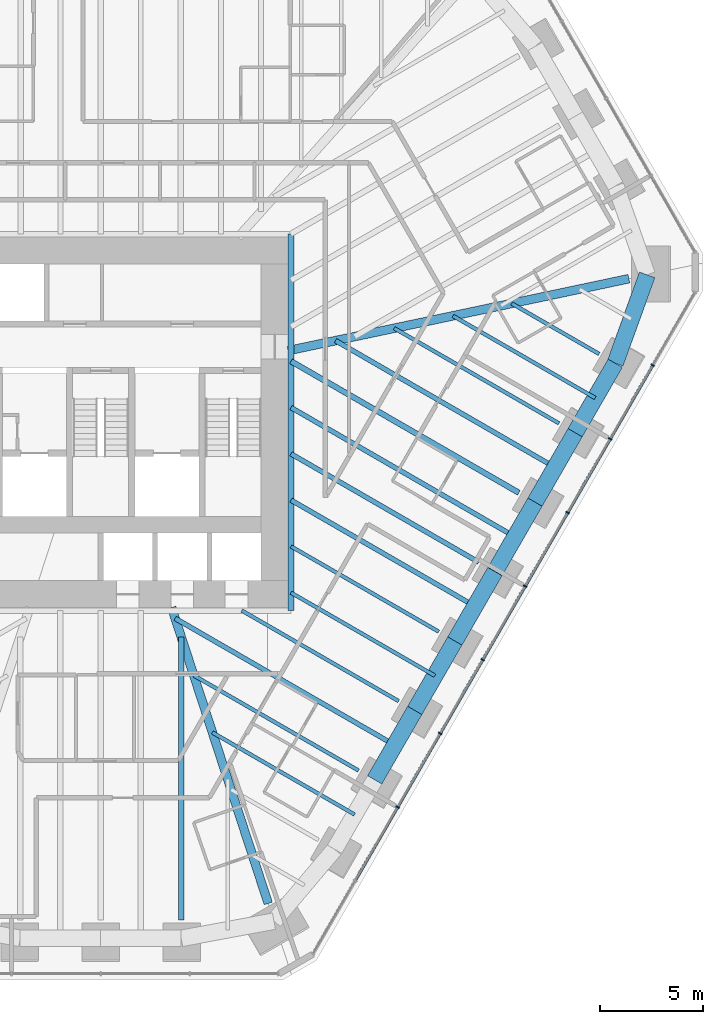
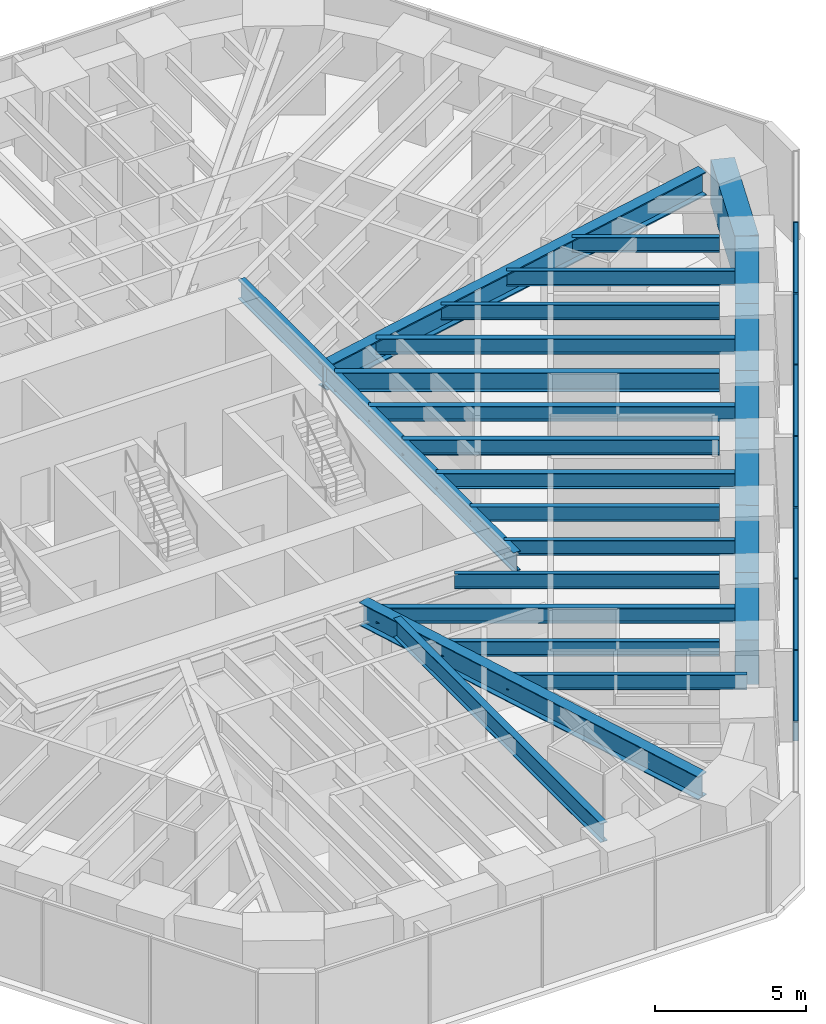
# One storey, part 5 of 18: 25 beams, 14 members, 1 element without a shape of its own.
"""IFC4 building model written with IfcOpenShell, lengths in metres."""

import ifcopenshell
import ifcopenshell.guid

model = None  # the IFC model being written
_history = None  # IfcOwnerHistory: only IFC2X3 demands one
_inside = {}  # id of a spatial element -> (the spatial element, [elements in it])
_under = {}  # id of a project, library or spatial element -> (it, [spatial elements below it])
_declared = {}  # id of a project -> (the project, [libraries it declares])
_typed = {}  # id of a type object -> (the type object, [elements of that type])
_made_of = {}  # id of a material, layer set ... -> (it, [elements and type objects made of it])


def new_model(schema):
    """Start an empty IFC model of exactly this schema.

    Asked for "IFC4X3", IfcOpenShell would pick the latest addendum, in which some entities
    have other attributes; the version numbers below select the first issue.
    IFC2X3 requires an IfcOwnerHistory on every rooted entity: one is made here for all.
    """
    global model, _history
    if schema == "IFC4X3":
        model = ifcopenshell.file(schema_version=(4, 3, 0, 0))
    else:
        model = ifcopenshell.file(schema=schema)
    _inside.clear()
    _under.clear()
    _declared.clear()
    _typed.clear()
    _made_of.clear()
    _history = None
    if model.schema == "IFC2X3":
        org = make("IfcOrganization", Name="unknown")
        user = make(
            "IfcPersonAndOrganization",
            ThePerson=make("IfcPerson", FamilyName="unknown"),
            TheOrganization=org,
        )
        app = make(
            "IfcApplication",
            ApplicationDeveloper=org,
            Version="unknown",
            ApplicationFullName="unknown",
            ApplicationIdentifier="unknown",
        )
        _history = make(
            "IfcOwnerHistory",
            OwningUser=user,
            OwningApplication=app,
            ChangeAction="ADDED",
            CreationDate=0,
        )
    return model


def make(cls, **values):
    """One entity of the class cls with the attributes given. An attribute that is None is left unset."""
    return model.create_entity(
        cls, **{name: value for name, value in values.items() if value is not None}
    )


def rooted(cls, **values):
    """An entity with a GlobalId (a new one), such as an element, a storey or a relation."""
    return make(cls, GlobalId=ifcopenshell.guid.new(), OwnerHistory=_history, **values)


def si_unit(unit_type, name, prefix=None):
    """IfcSIUnit, for example si_unit("LENGTHUNIT", "METRE", prefix="MILLI")."""
    return make("IfcSIUnit", UnitType=unit_type, Prefix=prefix, Name=name)


def assignment(units):
    """IfcUnitAssignment: the units of a project."""
    return None if units is None else make("IfcUnitAssignment", Units=units)


def point(xyz):
    """IfcCartesianPoint."""
    return None if xyz is None else make("IfcCartesianPoint", Coordinates=xyz)


def direction(xyz):
    """IfcDirection."""
    return None if xyz is None else make("IfcDirection", DirectionRatios=xyz)


def frame(location, z_axis=None, x_axis=None):
    """IfcAxis2Placement3D, a coordinate frame: its origin and axes. An axis left out is left unset."""
    return make(
        "IfcAxis2Placement3D",
        Location=point(location),
        Axis=direction(z_axis),
        RefDirection=direction(x_axis),
    )


def frame_2d(location, x_axis=None):
    """IfcAxis2Placement2D, a coordinate frame in the plane: its origin and x axis."""
    return make(
        "IfcAxis2Placement2D", Location=point(location), RefDirection=direction(x_axis)
    )


def origin():
    """The frame at (0, 0, 0) with its axes left unset."""
    return frame((0.0, 0.0, 0.0))


def origin_2d():
    """The frame at (0, 0) in the plane with its x axis left unset."""
    return frame_2d((0.0, 0.0))


def place(relative_to, where):
    """IfcLocalPlacement: puts the frame where relative to a parent placement (None: the world)."""
    return make(
        "IfcLocalPlacement", PlacementRelTo=relative_to, RelativePlacement=where
    )


def context(
    kind, dimensions, precision=None, world=None, true_north=None, identifier=None
):
    """IfcGeometricRepresentationContext, for example the 3D "Model" context."""
    return make(
        "IfcGeometricRepresentationContext",
        ContextIdentifier=identifier,
        ContextType=kind,
        CoordinateSpaceDimension=dimensions,
        Precision=precision,
        WorldCoordinateSystem=world,
        TrueNorth=true_north,
    )


def subcontext(parent, identifier, kind, view, scale=None):
    """IfcGeometricRepresentationSubContext, for example "Body" below "Model"."""
    return make(
        "IfcGeometricRepresentationSubContext",
        ContextIdentifier=identifier,
        ContextType=kind,
        ParentContext=parent,
        TargetScale=scale,
        TargetView=view,
    )


def project(units=None, contexts=None):
    """IfcProject with its units and contexts."""
    return rooted(
        "IfcProject",
        Name="project",
        RepresentationContexts=contexts,
        UnitsInContext=assignment(units),
    )


def spatial(cls, under=None, at=None, **own):
    """A site, building, storey or space (cls), placed at a placement, below another one or the project."""
    s = rooted(cls, ObjectPlacement=at, **own)
    if under is not None:
        _under.setdefault(under.id(), (under, []))[1].append(s)
    return s


def profile(cls, at=None, kind="AREA", **sizes):
    """A parametric profile (cls). Its sizes go by their IFC names, for example OverallWidth=200.0."""
    return make(cls, ProfileType=kind, Position=at, **sizes)


def rectangle(**sizes):
    """IfcRectangleProfileDef."""
    return profile("IfcRectangleProfileDef", **sizes)


def i_section(**sizes):
    """IfcIShapeProfileDef."""
    return profile("IfcIShapeProfileDef", **sizes)


def extrude(swept, where, along, depth):
    """IfcExtrudedAreaSolid: the profile swept, set in the frame where, extruded along a direction by depth."""
    return make(
        "IfcExtrudedAreaSolid",
        SweptArea=swept,
        Position=where,
        ExtrudedDirection=direction(along),
        Depth=depth,
    )


def shape(context_of_items, identifier, shape_type, items):
    """IfcShapeRepresentation: the items that make up one representation, for example the "Body"."""
    return make(
        "IfcShapeRepresentation",
        ContextOfItems=context_of_items,
        RepresentationIdentifier=identifier,
        RepresentationType=shape_type,
        Items=items,
    )


def material(Name=None, Category=None):
    """IfcMaterial."""
    return make("IfcMaterial", Name=Name, Category=Category)


def material_profile(
    of_material, cross_section, Name=None, Category=None, Priority=None
):
    """IfcMaterialProfile: a cross section and its material."""
    return make(
        "IfcMaterialProfile",
        Name=Name,
        Material=of_material,
        Profile=cross_section,
        Priority=Priority,
        Category=Category,
    )


def profile_set(profiles, Name=None, composite=None):
    """IfcMaterialProfileSet."""
    return make(
        "IfcMaterialProfileSet",
        Name=Name,
        MaterialProfiles=profiles,
        CompositeProfile=composite,
    )


def made_of(thing, what):
    """Note that an element or type object is made of a material, layer set ...; save() writes the relation."""
    if what is not None:
        _made_of.setdefault(what.id(), (what, []))[1].append(thing)
    return thing


def type_object(cls, material=None, **own):
    """A type object (cls), such as IfcWallType, which elements share."""
    return made_of(rooted(cls, **own), material)


def element(
    cls,
    number,
    at=None,
    inside=None,
    cuts=None,
    type_object=None,
    material=None,
    context=None,
    identifier="Body",
    shape_type=None,
    held_by="IfcProductDefinitionShape",
    body=None,
    shapes=None,
    **own,
):
    """One element of the class cls, such as IfcWall. Its Tag is "e" and its number.

    at: its placement. inside: the storey or other place that contains it. cuts: it is an
    opening in that element (IfcRelVoidsElement). A single representation is given by context,
    identifier, shape_type and body (its items); several are given by shapes. held_by: the class
    of the entity that holds the representations. save() writes the other relations.
    """
    e = rooted(cls, Tag="e%d" % number, ObjectPlacement=at, **own)
    if body is not None:
        shapes = [shape(context, identifier, shape_type, body)]
    if shapes is not None:
        e.Representation = make(held_by, Representations=shapes)
    if inside is not None:
        _inside.setdefault(inside.id(), (inside, []))[1].append(e)
    if cuts is not None:
        rooted(
            "IfcRelVoidsElement", RelatingBuildingElement=cuts, RelatedOpeningElement=e
        )
    if type_object is not None:
        _typed.setdefault(type_object.id(), (type_object, []))[1].append(e)
    return made_of(e, material)


def aggregate(whole, parts):
    """IfcRelAggregates: a whole, such as a stair, and the parts it consists of."""
    return rooted("IfcRelAggregates", RelatingObject=whole, RelatedObjects=parts)


def save(model, path):
    """Write the relations noted so far, then the file.

    IfcRelAggregates (storeys below a building ...), IfcRelContainedInSpatialStructure (elements
    in a storey), IfcRelDefinesByType, IfcRelAssociatesMaterial and IfcRelDeclares: one each for
    every whole, place, type object, material and project.
    """
    for whole, parts in _under.values():
        aggregate(whole, parts)
    for where, things in _inside.values():
        rooted(
            "IfcRelContainedInSpatialStructure",
            RelatedElements=things,
            RelatingStructure=where,
        )
    for kind, things in _typed.values():
        rooted("IfcRelDefinesByType", RelatedObjects=things, RelatingType=kind)
    for what, things in _made_of.values():
        rooted("IfcRelAssociatesMaterial", RelatedObjects=things, RelatingMaterial=what)
    for by, libraries in _declared.values():
        rooted("IfcRelDeclares", RelatingContext=by, RelatedDefinitions=libraries)
    model.write(path)


model = new_model("IFC4")

# Units and contexts
model_context = context("Model", 3, precision=1e-05, world=origin(), true_north=direction((0.0, 1.0)))
body_context = subcontext(model_context, "Body", "Model", "MODEL_VIEW")
ifc_project = project(units=[si_unit("LENGTHUNIT", "METRE"), si_unit("AREAUNIT", "SQUARE_METRE"), si_unit("VOLUMEUNIT", "CUBIC_METRE"), si_unit("PLANEANGLEUNIT", "RADIAN"), si_unit("MASSUNIT", "GRAM", prefix="KILO")], contexts=[model_context])

# Site, building, storey
site_placement = place(None, origin())
site = spatial("IfcSite", under=ifc_project, at=site_placement, CompositionType="ELEMENT")
building_placement = place(site_placement, origin())
building = spatial("IfcBuilding", under=site, at=building_placement, Name="Sandreach Pilgrim Tower", CompositionType="ELEMENT")
storey_placement = place(building_placement, frame((0.0, 0.0, 153.800048828125)))
storey = spatial("IfcBuildingStorey", under=building, at=storey_placement, Name="L38", CompositionType="ELEMENT", Elevation=153.800048828125)

# Curtain wall, members
ifc_material_1 = material(Name="Aluminium framed curtain wall", Category="aluminium")
curtain_wall_type = type_object("IfcCurtainWallType", Name="Hotel tower curtain wall", PredefinedType="NOTDEFINED", material=ifc_material_1)
curtain_wall_placement = place(storey_placement, origin())
curtain_wall = element("IfcCurtainWall", 1, at=curtain_wall_placement, inside=storey, type_object=curtain_wall_type, Name="CW-2 L38 SE", PredefinedType="NOTDEFINED")
ifc_material_2 = material(Name="Aluminium extrusion", Category="aluminium")
ifc_material_profile_1 = material_profile(ifc_material_2, rectangle(XDim=0.06494140625, YDim=0.179931640625, at=origin_2d()), Name="CW-2M 65X180")
ifc_profile_set_1 = profile_set([ifc_material_profile_1], Name="Aluminium extrusion")
member_type_1 = type_object("IfcMemberType", Name="CW-2 mullion", PredefinedType="MULLION", material=ifc_profile_set_1)
member_1_placement = place(storey_placement, frame((26.66748046875, 1.20166015625, 0.0), z_axis=(0.0, 0.0, 1.0), x_axis=(-0.5, -0.866025403784, 0.0)))
member_1 = element("IfcMember", 2, at=member_1_placement, type_object=member_type_1, Name="CW-2 mullion 2", PredefinedType="MULLION", context=body_context, shape_type="SweptSolid", body=[
    extrude(rectangle(XDim=0.06494140625, YDim=0.179931640625, at=origin_2d()), origin(), (0.0, 0.0, 1.0), 3.639892578125),
])
member_2_placement = place(storey_placement, frame((24.614013671875, -2.35498046875, 0.0), z_axis=(0.0, 0.0, 1.0), x_axis=(-0.5, -0.866025403784, 0.0)))
member_2 = element("IfcMember", 3, at=member_2_placement, type_object=member_type_1, Name="CW-2 mullion 3", PredefinedType="MULLION", context=body_context, shape_type="SweptSolid", body=[
    extrude(rectangle(XDim=0.06494140625, YDim=0.179931640625, at=origin_2d()), origin(), (0.0, 0.0, 1.0), 3.639892578125),
])
member_3_placement = place(storey_placement, frame((22.560302734375, -5.911865234375, 0.0), z_axis=(0.0, 0.0, 1.0), x_axis=(-0.5, -0.866025403784, 0.0)))
member_3 = element("IfcMember", 4, at=member_3_placement, type_object=member_type_1, Name="CW-2 mullion 4", PredefinedType="MULLION", context=body_context, shape_type="SweptSolid", body=[
    extrude(rectangle(XDim=0.06494140625, YDim=0.179931640625, at=origin_2d()), origin(), (0.0, 0.0, 1.0), 3.639892578125),
])
member_4_placement = place(storey_placement, frame((20.5068359375, -9.468505859375, 0.0), z_axis=(0.0, 0.0, 1.0), x_axis=(-0.5, -0.866025403784, 0.0)))
member_4 = element("IfcMember", 5, at=member_4_placement, type_object=member_type_1, Name="CW-2 mullion 5", PredefinedType="MULLION", context=body_context, shape_type="SweptSolid", body=[
    extrude(rectangle(XDim=0.06494140625, YDim=0.179931640625, at=origin_2d()), origin(), (0.0, 0.0, 1.0), 3.639892578125),
])
member_5_placement = place(storey_placement, frame((18.453369140625, -13.025146484375, 0.0), z_axis=(0.0, 0.0, 1.0), x_axis=(-0.5, -0.866025403784, 0.0)))
member_5 = element("IfcMember", 6, at=member_5_placement, type_object=member_type_1, Name="CW-2 mullion 6", PredefinedType="MULLION", context=body_context, shape_type="SweptSolid", body=[
    extrude(rectangle(XDim=0.06494140625, YDim=0.179931640625, at=origin_2d()), origin(), (0.0, 0.0, 1.0), 3.639892578125),
])
member_6_placement = place(storey_placement, frame((16.39990234375, -16.58203125, 0.0), z_axis=(0.0, 0.0, 1.0), x_axis=(-0.5, -0.866025403784, 0.0)))
member_6 = element("IfcMember", 7, at=member_6_placement, type_object=member_type_1, Name="CW-2 mullion 7", PredefinedType="MULLION", context=body_context, shape_type="SweptSolid", body=[
    extrude(rectangle(XDim=0.06494140625, YDim=0.179931640625, at=origin_2d()), origin(), (0.0, 0.0, 1.0), 3.639892578125),
])
member_7_placement = place(storey_placement, frame((14.346435546875, -20.138671875, 0.0), z_axis=(0.0, 0.0, 1.0), x_axis=(-0.5, -0.866025403784, 0.0)))
member_7 = element("IfcMember", 8, at=member_7_placement, type_object=member_type_1, Name="CW-2 mullion 8", PredefinedType="MULLION", context=body_context, shape_type="SweptSolid", body=[
    extrude(rectangle(XDim=0.06494140625, YDim=0.179931640625, at=origin_2d()), origin(), (0.0, 0.0, 1.0), 3.639892578125),
])
ifc_material_3 = material(Name="Aluminium extrusion", Category="aluminium")
ifc_material_profile_2 = material_profile(ifc_material_3, rectangle(XDim=0.139892578125, YDim=0.070068359375, at=origin_2d()), Name="CW-2T 140X70")
ifc_profile_set_2 = profile_set([ifc_material_profile_2], Name="Aluminium extrusion")
member_type_2 = type_object("IfcMemberType", Name="CW-2 transom", PredefinedType="USERDEFINED", material=ifc_profile_set_2)
member_8_placement = place(storey_placement, frame((26.651123046875, 1.173583984375, 3.60498046875), z_axis=(-0.499997818338, -0.866026663364, 0.0), x_axis=(0.866026663364, -0.499997818338, 0.0)))
member_8 = element("IfcMember", 9, at=member_8_placement, type_object=member_type_2, Name="CW-2 head transom 2", ObjectType="TRANSOM", PredefinedType="USERDEFINED", context=body_context, shape_type="SweptSolid", body=[
    extrude(rectangle(XDim=0.139892578125, YDim=0.070068359375, at=origin_2d()), origin(), (0.0, 0.0, 1.0), 4.0419921875),
])
member_9_placement = place(storey_placement, frame((24.59765625, -2.38330078125, 3.60498046875), z_axis=(-0.500023973715, -0.866011562111, 0.0), x_axis=(0.866011562111, -0.500023973715, 0.0)))
member_9 = element("IfcMember", 10, at=member_9_placement, type_object=member_type_2, Name="CW-2 head transom 3", ObjectType="TRANSOM", PredefinedType="USERDEFINED", context=body_context, shape_type="SweptSolid", body=[
    extrude(rectangle(XDim=0.139892578125, YDim=0.070068359375, at=origin_2d()), origin(), (0.0, 0.0, 1.0), 4.041748046875),
])
member_10_placement = place(storey_placement, frame((22.544189453125, -5.93994140625, 3.60498046875), z_axis=(-0.499997818338, -0.866026663364, 0.0), x_axis=(0.866026663364, -0.499997818338, 0.0)))
member_10 = element("IfcMember", 11, at=member_10_placement, type_object=member_type_2, Name="CW-2 head transom 4", ObjectType="TRANSOM", PredefinedType="USERDEFINED", context=body_context, shape_type="SweptSolid", body=[
    extrude(rectangle(XDim=0.139892578125, YDim=0.070068359375, at=origin_2d()), origin(), (0.0, 0.0, 1.0), 4.0419921875),
])
member_11_placement = place(storey_placement, frame((20.49072265625, -9.49658203125, 3.60498046875), z_axis=(-0.499997818338, -0.866026663364, 0.0), x_axis=(0.866026663364, -0.499997818338, 0.0)))
member_11 = element("IfcMember", 12, at=member_11_placement, type_object=member_type_2, Name="CW-2 head transom 5", ObjectType="TRANSOM", PredefinedType="USERDEFINED", context=body_context, shape_type="SweptSolid", body=[
    extrude(rectangle(XDim=0.139892578125, YDim=0.070068359375, at=origin_2d()), origin(), (0.0, 0.0, 1.0), 4.0419921875),
])
member_12_placement = place(storey_placement, frame((18.437255859375, -13.053466796875, 3.60498046875), z_axis=(-0.499997818338, -0.866026663364, 0.0), x_axis=(0.866026663364, -0.499997818338, 0.0)))
member_12 = element("IfcMember", 13, at=member_12_placement, type_object=member_type_2, Name="CW-2 head transom 6", ObjectType="TRANSOM", PredefinedType="USERDEFINED", context=body_context, shape_type="SweptSolid", body=[
    extrude(rectangle(XDim=0.139892578125, YDim=0.070068359375, at=origin_2d()), origin(), (0.0, 0.0, 1.0), 4.0419921875),
])
member_13_placement = place(storey_placement, frame((16.3837890625, -16.610107421875, 3.60498046875), z_axis=(-0.499997818338, -0.866026663364, 0.0), x_axis=(0.866026663364, -0.499997818338, 0.0)))
member_13 = element("IfcMember", 14, at=member_13_placement, type_object=member_type_2, Name="CW-2 head transom 7", ObjectType="TRANSOM", PredefinedType="USERDEFINED", context=body_context, shape_type="SweptSolid", body=[
    extrude(rectangle(XDim=0.139892578125, YDim=0.070068359375, at=origin_2d()), origin(), (0.0, 0.0, 1.0), 4.0419921875),
])
member_14_placement = place(storey_placement, frame((14.330322265625, -20.1669921875, 3.60498046875), z_axis=(-0.500023973715, -0.866011562111, 0.0), x_axis=(0.866011562111, -0.500023973715, 0.0)))
member_14 = element("IfcMember", 15, at=member_14_placement, type_object=member_type_2, Name="CW-2 head transom 8", ObjectType="TRANSOM", PredefinedType="USERDEFINED", context=body_context, shape_type="SweptSolid", body=[
    extrude(rectangle(XDim=0.139892578125, YDim=0.070068359375, at=origin_2d()), origin(), (0.0, 0.0, 1.0), 4.041748046875),
])
aggregate(curtain_wall, [member_1, member_2, member_3, member_4, member_5, member_6, member_7, member_8, member_9, member_10, member_11, member_12, member_13, member_14])

# Beams
ifc_material_4 = material(Name="Steel ASTM A992 Grade 50", Category="steel")
ifc_material_profile_3 = material_profile(ifc_material_4, i_section(OverallWidth=0.2666015625, OverallDepth=0.77978515625, WebThickness=0.0166015625, FlangeThickness=0.030029296875, at=origin_2d()), Name="W30X148")
ifc_profile_set_3 = profile_set([ifc_material_profile_3], Name="Steel ASTM A992 Grade 50")
beam_type_1 = type_object("IfcBeamType", Name="Core edge beam W30X148", PredefinedType="BEAM", material=ifc_profile_set_3)
beam_1_placement = place(storey_placement, frame((9.193359375, 7.54345703125, 3.25), z_axis=(0.0, -1.0, 0.0), x_axis=(1.0, 0.0, 0.0)))
element("IfcBeam", 16, at=beam_1_placement, inside=storey, type_object=beam_type_1, Name="BM L38 CEE", PredefinedType="BEAM", context=body_context, shape_type="SweptSolid", body=[
    extrude(i_section(OverallWidth=0.2666015625, OverallDepth=0.77978515625, WebThickness=0.0166015625, FlangeThickness=0.030029296875, at=origin_2d()), origin(), (0.0, 0.0, 1.0), 18.186767578125),
])
ifc_material_5 = material(Name="Steel ASTM A992 Grade 50", Category="steel")
ifc_material_profile_4 = material_profile(ifc_material_5, i_section(OverallWidth=0.419189453125, OverallDepth=0.927001953125, WebThickness=0.019287109375, FlangeThickness=0.031982421875, at=origin_2d()), Name="W36X231")
ifc_profile_set_4 = profile_set([ifc_material_profile_4], Name="Steel ASTM A992 Grade 50")
beam_type_2 = type_object("IfcBeamType", Name="Corner girder W36X231", PredefinedType="BEAM", material=ifc_profile_set_4)
beam_2_placement = place(storey_placement, frame((8.09326171875, -24.79345703125, 3.176513671875), z_axis=(-0.31031284441, 0.950634492639, 0.0), x_axis=(-0.950634492639, -0.31031284441, 0.0)))
element("IfcBeam", 17, at=beam_2_placement, inside=storey, type_object=beam_type_2, Name="BM L38 CG22", PredefinedType="BEAM", context=body_context, shape_type="SweptSolid", body=[
    extrude(i_section(OverallWidth=0.419189453125, OverallDepth=0.927001953125, WebThickness=0.019287109375, FlangeThickness=0.031982421875, at=origin_2d()), origin(), (0.0, 0.0, 1.0), 15.03564453125),
])
ifc_material_6 = material(Name="Steel ASTM A992 Grade 50", Category="steel")
ifc_material_profile_5 = material_profile(ifc_material_6, i_section(OverallWidth=0.421630859375, OverallDepth=0.95751953125, WebThickness=0.02587890625, FlangeThickness=0.046875, at=origin_2d()), Name="W36X330")
ifc_profile_set_5 = profile_set([ifc_material_profile_5], Name="Steel ASTM A992 Grade 50")
beam_type_3 = type_object("IfcBeamType", Name="Corner girder W36X330", PredefinedType="BEAM", material=ifc_profile_set_5)
beam_3_placement = place(storey_placement, frame((25.518310546875, 5.3876953125, 3.1611328125), z_axis=(-0.978429267721, -0.206582109747, 0.0), x_axis=(0.206582109747, -0.978429267721, 0.0)))
element("IfcBeam", 18, at=beam_3_placement, inside=storey, type_object=beam_type_3, Name="BM L38 CG13", PredefinedType="BEAM", context=body_context, shape_type="SweptSolid", body=[
    extrude(i_section(OverallWidth=0.421630859375, OverallDepth=0.95751953125, WebThickness=0.02587890625, FlangeThickness=0.046875, at=origin_2d()), origin(), (0.0, 0.0, 1.0), 16.831298828125),
])
ifc_material_7 = material(Name="Steel ASTM A992 Grade 50", Category="steel")
ifc_material_profile_6 = material_profile(ifc_material_7, i_section(OverallWidth=0.1787109375, OverallDepth=0.60205078125, WebThickness=0.010986328125, FlangeThickness=0.014892578125, at=origin_2d()), Name="W24X62")
ifc_profile_set_6 = profile_set([ifc_material_profile_6], Name="Steel ASTM A992 Grade 50")
beam_type_4 = type_object("IfcBeamType", Name="Floor beam W24X62", PredefinedType="BEAM", material=ifc_profile_set_6)
beam_4_placement = place(storey_placement, frame((24.076416015625, 1.7529296875, 3.3388671875), z_axis=(-0.866007188065, 0.500031549224, 0.0), x_axis=(-0.500031549224, -0.866007188065, 0.0)))
element("IfcBeam", 19, at=beam_4_placement, inside=storey, type_object=beam_type_4, Name="BM L38 F14", PredefinedType="BEAM", context=body_context, shape_type="SweptSolid", body=[
    extrude(i_section(OverallWidth=0.1787109375, OverallDepth=0.60205078125, WebThickness=0.010986328125, FlangeThickness=0.014892578125, at=origin_2d()), origin(), (0.0, 0.0, 1.0), 4.877197265625),
])
beam_5_placement = place(storey_placement, frame((22.139892578125, -1.601318359375, 3.3388671875), z_axis=(-0.866027659761, 0.499996092513, 0.0), x_axis=(-0.499996092513, -0.866027659761, 0.0)))
element("IfcBeam", 20, at=beam_5_placement, inside=storey, type_object=beam_type_4, Name="BM L38 F15", PredefinedType="BEAM", context=body_context, shape_type="SweptSolid", body=[
    extrude(i_section(OverallWidth=0.1787109375, OverallDepth=0.60205078125, WebThickness=0.010986328125, FlangeThickness=0.014892578125, at=origin_2d()), origin(), (0.0, 0.0, 1.0), 9.1904296875),
])
beam_6_placement = place(storey_placement, frame((16.330078125, -11.664306640625, 3.3388671875), z_axis=(-0.866026725994, 0.499997709859, 0.0), x_axis=(-0.499997709859, -0.866026725994, 0.0)))
element("IfcBeam", 21, at=beam_6_placement, inside=storey, type_object=beam_type_4, Name="BM L38 F18", PredefinedType="BEAM", context=body_context, shape_type="SweptSolid", body=[
    extrude(i_section(OverallWidth=0.1787109375, OverallDepth=0.60205078125, WebThickness=0.010986328125, FlangeThickness=0.014892578125, at=origin_2d()), origin(), (0.0, 0.0, 1.0), 8.24072265625),
])
beam_7_placement = place(storey_placement, frame((14.393310546875, -15.018798828125, 3.3388671875), z_axis=(-0.866019722239, 0.500009840597, 0.0), x_axis=(-0.500009840597, -0.866019722239, 0.0)))
element("IfcBeam", 22, at=beam_7_placement, inside=storey, type_object=beam_type_4, Name="BM L38 F19", PredefinedType="BEAM", context=body_context, shape_type="SweptSolid", body=[
    extrude(i_section(OverallWidth=0.1787109375, OverallDepth=0.60205078125, WebThickness=0.010986328125, FlangeThickness=0.014892578125, at=origin_2d()), origin(), (0.0, 0.0, 1.0), 8.750732421875),
])
beam_8_placement = place(storey_placement, frame((12.456787109375, -18.373046875, 3.3388671875), z_axis=(-0.866034300541, 0.499984590049, 0.0), x_axis=(-0.499984590049, -0.866034300541, 0.0)))
element("IfcBeam", 23, at=beam_8_placement, inside=storey, type_object=beam_type_4, Name="BM L38 F20", PredefinedType="BEAM", context=body_context, shape_type="SweptSolid", body=[
    extrude(i_section(OverallWidth=0.1787109375, OverallDepth=0.60205078125, WebThickness=0.010986328125, FlangeThickness=0.014892578125, at=origin_2d()), origin(), (0.0, 0.0, 1.0), 9.190673828125),
])
beam_9_placement = place(storey_placement, frame((23.8876953125, -0.374267578125, 3.3388671875), z_axis=(-0.866024683951, 0.500001246785, 0.0), x_axis=(-0.500001246785, -0.866024683951, 0.0)))
element("IfcBeam", 24, at=beam_9_placement, inside=storey, type_object=beam_type_4, Name="BM L38 FM14", PredefinedType="BEAM", context=body_context, shape_type="SweptSolid", body=[
    extrude(i_section(OverallWidth=0.1787109375, OverallDepth=0.60205078125, WebThickness=0.010986328125, FlangeThickness=0.014892578125, at=origin_2d()), origin(), (0.0, 0.0, 1.0), 7.93408203125),
])
beam_10_placement = place(storey_placement, frame((16.14111328125, -13.79150390625, 3.3388671875), z_axis=(-0.866028486751, 0.499994660107, 0.0), x_axis=(-0.499994660107, -0.866028486751, 0.0)))
element("IfcBeam", 25, at=beam_10_placement, inside=storey, type_object=beam_type_4, Name="BM L38 FM18", PredefinedType="BEAM", context=body_context, shape_type="SweptSolid", body=[
    extrude(i_section(OverallWidth=0.1787109375, OverallDepth=0.60205078125, WebThickness=0.010986328125, FlangeThickness=0.014892578125, at=origin_2d()), origin(), (0.0, 0.0, 1.0), 8.0224609375),
])
beam_11_placement = place(storey_placement, frame((12.267822265625, -20.500244140625, 3.3388671875), z_axis=(-0.866016990805, 0.500014571424, 0.0), x_axis=(-0.500014571424, -0.866016990805, 0.0)))
element("IfcBeam", 26, at=beam_11_placement, inside=storey, type_object=beam_type_4, Name="BM L38 FM20", PredefinedType="BEAM", context=body_context, shape_type="SweptSolid", body=[
    extrude(i_section(OverallWidth=0.1787109375, OverallDepth=0.60205078125, WebThickness=0.010986328125, FlangeThickness=0.014892578125, at=origin_2d()), origin(), (0.0, 0.0, 1.0), 7.933837890625),
])
ifc_material_8 = material(Name="Steel ASTM A992 Grade 50", Category="steel")
ifc_material_profile_7 = material_profile(ifc_material_8, i_section(OverallWidth=0.23046875, OverallDepth=0.6171875, WebThickness=0.01318359375, FlangeThickness=0.022216796875, at=origin_2d()), Name="W24X94")
ifc_profile_set_7 = profile_set([ifc_material_profile_7], Name="Steel ASTM A992 Grade 50")
beam_type_5 = type_object("IfcBeamType", Name="Floor beam W24X94", PredefinedType="BEAM", material=ifc_profile_set_7)
beam_12_placement = place(storey_placement, frame((18.2666015625, -8.31005859375, 3.331298828125), z_axis=(-0.86602182576, 0.50000619727, 0.0), x_axis=(-0.50000619727, -0.86602182576, 0.0)))
element("IfcBeam", 27, at=beam_12_placement, inside=storey, type_object=beam_type_5, Name="BM L38 F17", PredefinedType="BEAM", context=body_context, shape_type="SweptSolid", body=[
    extrude(i_section(OverallWidth=0.23046875, OverallDepth=0.6171875, WebThickness=0.01318359375, FlangeThickness=0.022216796875, at=origin_2d()), origin(), (0.0, 0.0, 1.0), 10.476806640625),
])
beam_13_placement = place(storey_placement, frame((21.950927734375, -3.728515625, 3.331298828125), z_axis=(-0.866020268664, 0.500008894183, 0.0), x_axis=(-0.500008894183, -0.866020268664, 0.0)))
element("IfcBeam", 28, at=beam_13_placement, inside=storey, type_object=beam_type_5, Name="BM L38 FM15", PredefinedType="BEAM", context=body_context, shape_type="SweptSolid", body=[
    extrude(i_section(OverallWidth=0.23046875, OverallDepth=0.6171875, WebThickness=0.01318359375, FlangeThickness=0.022216796875, at=origin_2d()), origin(), (0.0, 0.0, 1.0), 12.247314453125),
])
beam_14_placement = place(storey_placement, frame((20.014404296875, -7.082763671875, 3.331298828125), z_axis=(-0.866024523721, 0.500001524311, 0.0), x_axis=(-0.500001524311, -0.866024523721, 0.0)))
element("IfcBeam", 29, at=beam_14_placement, inside=storey, type_object=beam_type_5, Name="BM L38 FM16", PredefinedType="BEAM", context=body_context, shape_type="SweptSolid", body=[
    extrude(i_section(OverallWidth=0.23046875, OverallDepth=0.6171875, WebThickness=0.01318359375, FlangeThickness=0.022216796875, at=origin_2d()), origin(), (0.0, 0.0, 1.0), 12.4951171875),
])
beam_15_placement = place(storey_placement, frame((18.07763671875, -10.437255859375, 3.331298828125), z_axis=(-0.866023098503, 0.500003992843, 0.0), x_axis=(-0.500003992843, -0.866023098503, 0.0)))
element("IfcBeam", 30, at=beam_15_placement, inside=storey, type_object=beam_type_5, Name="BM L38 FM17", PredefinedType="BEAM", context=body_context, shape_type="SweptSolid", body=[
    extrude(i_section(OverallWidth=0.23046875, OverallDepth=0.6171875, WebThickness=0.01318359375, FlangeThickness=0.022216796875, at=origin_2d()), origin(), (0.0, 0.0, 1.0), 10.2587890625),
])
beam_16_placement = place(storey_placement, frame((14.204345703125, -17.145751953125, 3.331298828125), z_axis=(-0.866028900474, 0.499993943507, 0.0), x_axis=(-0.499993943507, -0.866028900474, 0.0)))
element("IfcBeam", 31, at=beam_16_placement, inside=storey, type_object=beam_type_5, Name="BM L38 FM19", PredefinedType="BEAM", context=body_context, shape_type="SweptSolid", body=[
    extrude(i_section(OverallWidth=0.23046875, OverallDepth=0.6171875, WebThickness=0.01318359375, FlangeThickness=0.022216796875, at=origin_2d()), origin(), (0.0, 0.0, 1.0), 12.247314453125),
])
ifc_material_9 = material(Name="Steel ASTM A992 Grade 50", Category="steel")
ifc_material_profile_8 = material_profile(ifc_material_9, i_section(OverallWidth=0.2666015625, OverallDepth=0.761962890625, WebThickness=0.014404296875, FlangeThickness=0.021484375, at=origin_2d()), Name="W30X116")
ifc_profile_set_8 = profile_set([ifc_material_profile_8], Name="Steel ASTM A992 Grade 50")
beam_type_6 = type_object("IfcBeamType", Name="Floor beam W30X116", PredefinedType="BEAM", material=ifc_profile_set_8)
beam_17_placement = place(storey_placement, frame((20.203369140625, -4.95556640625, 3.259033203125), z_axis=(-0.866031765794, 0.499988980514, 0.0), x_axis=(-0.499988980514, -0.866031765794, 0.0)))
element("IfcBeam", 32, at=beam_17_placement, inside=storey, type_object=beam_type_6, Name="BM L38 F16", PredefinedType="BEAM", context=body_context, shape_type="SweptSolid", body=[
    extrude(i_section(OverallWidth=0.2666015625, OverallDepth=0.761962890625, WebThickness=0.014404296875, FlangeThickness=0.021484375, at=origin_2d()), origin(), (0.0, 0.0, 1.0), 12.713134765625),
])
beam_18_placement = place(storey_placement, frame((3.88916015625, -25.5830078125, 3.259033203125), z_axis=(0.0, 1.0, 0.0), x_axis=(-1.0, 0.0, 0.0)))
element("IfcBeam", 33, at=beam_18_placement, inside=storey, type_object=beam_type_6, Name="BM L38 F23", PredefinedType="BEAM", context=body_context, shape_type="SweptSolid", body=[
    extrude(i_section(OverallWidth=0.2666015625, OverallDepth=0.761962890625, WebThickness=0.014404296875, FlangeThickness=0.021484375, at=origin_2d()), origin(), (0.0, 0.0, 1.0), 13.66845703125),
])
ifc_material_10 = material(Name="Concrete 10000 psi", Category="concrete")
ifc_material_profile_9 = material_profile(ifc_material_10, rectangle(XDim=0.800048828125, YDim=1.800048828125, at=origin_2d()), Name="RC800X1800")
ifc_profile_set_9 = profile_set([ifc_material_profile_9], Name="Concrete 10000 psi")
beam_type_7 = type_object("IfcBeamType", Name="Spandrel beam RC800X1800", PredefinedType="SPANDREL", material=ifc_profile_set_9)
beam_19_placement = place(storey_placement, frame((26.39892578125, 5.57373046875, 2.739990234375), z_axis=(-0.339791109893, -0.940500931227, 0.0), x_axis=(0.940500931227, -0.339791109893, 0.0)))
element("IfcBeam", 34, at=beam_19_placement, inside=storey, type_object=beam_type_7, Name="BM L38 SP13", PredefinedType="SPANDREL", context=body_context, shape_type="SweptSolid", body=[
    extrude(rectangle(XDim=0.800048828125, YDim=1.800048828125, at=origin_2d()), origin(), (0.0, 0.0, 1.0), 4.541015625),
])
for number, where, z_axis, x_axis, name in (
    (35, (24.85595703125, 1.302978515625, 2.739990234375), (-0.500037093476, -0.866003986797, 0.0), (0.866003986797, -0.500037093476, 0.0), "BM L38 SP14"),
    (36, (22.919189453125, -2.05126953125, 2.739990234375), (-0.499962526042, -0.866047038303, 0.0), (0.866047038303, -0.499962526042, 0.0), "BM L38 SP15"),
):
    element("IfcBeam", number, at=place(storey_placement, frame(where, z_axis=z_axis, x_axis=x_axis)), inside=storey, type_object=beam_type_7, Name=name, PredefinedType="SPANDREL", context=body_context, shape_type="SweptSolid", body=[
        extrude(rectangle(XDim=0.800048828125, YDim=1.800048828125, at=origin_2d()), origin(), (0.0, 0.0, 1.0), 3.873291015625),
    ])
beam_20_placement = place(storey_placement, frame((20.982666015625, -5.40576171875, 2.739990234375), z_axis=(-0.499989819178, -0.866031281605, 0.0), x_axis=(0.866031281605, -0.499989819178, 0.0)))
element("IfcBeam", 37, at=beam_20_placement, inside=storey, type_object=beam_type_7, Name="BM L38 SP16", PredefinedType="SPANDREL", context=body_context, shape_type="SweptSolid", body=[
    extrude(rectangle(XDim=0.800048828125, YDim=1.800048828125, at=origin_2d()), origin(), (0.0, 0.0, 1.0), 3.873046875),
])
for number, where, z_axis, x_axis, name in (
    (38, (19.046142578125, -8.760009765625, 2.739990234375), (-0.500037093476, -0.866003986797, 0.0), (0.866003986797, -0.500037093476, 0.0), "BM L38 SP17"),
    (39, (17.109375, -12.1142578125, 2.739990234375), (-0.499962526042, -0.866047038303, 0.0), (0.866047038303, -0.499962526042, 0.0), "BM L38 SP18"),
    (40, (15.1728515625, -15.46875, 2.739990234375), (-0.500037093476, -0.866003986797, 0.0), (0.866003986797, -0.500037093476, 0.0), "BM L38 SP19"),
):
    element("IfcBeam", number, at=place(storey_placement, frame(where, z_axis=z_axis, x_axis=x_axis)), inside=storey, type_object=beam_type_7, Name=name, PredefinedType="SPANDREL", context=body_context, shape_type="SweptSolid", body=[
        extrude(rectangle(XDim=0.800048828125, YDim=1.800048828125, at=origin_2d()), origin(), (0.0, 0.0, 1.0), 3.873291015625),
    ])

save(model, "model.ifc")
